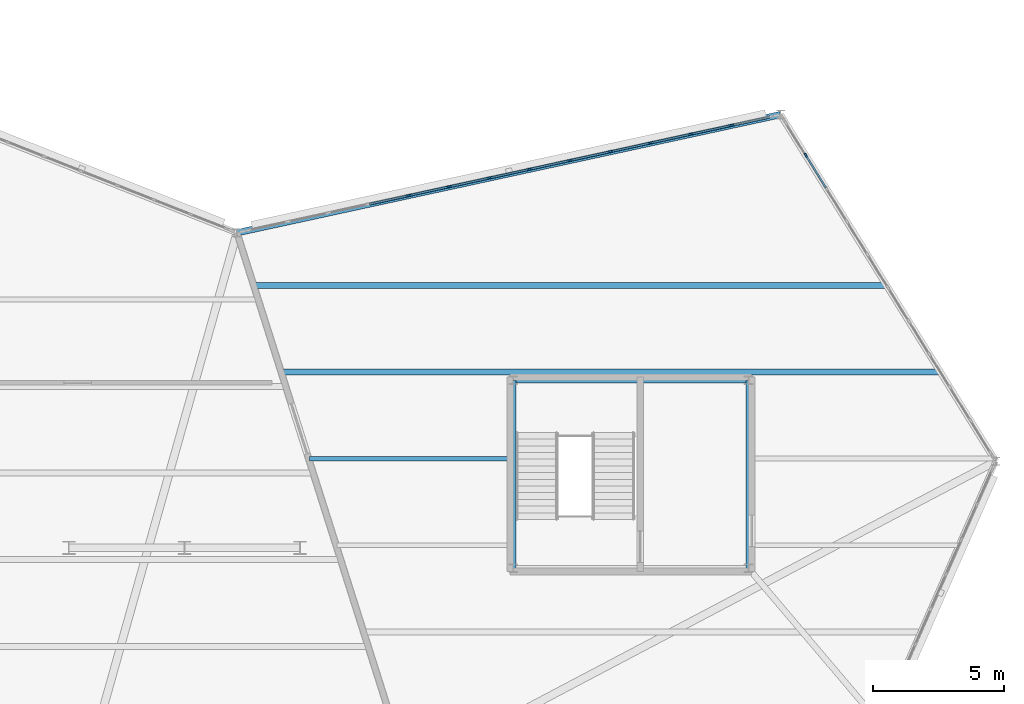
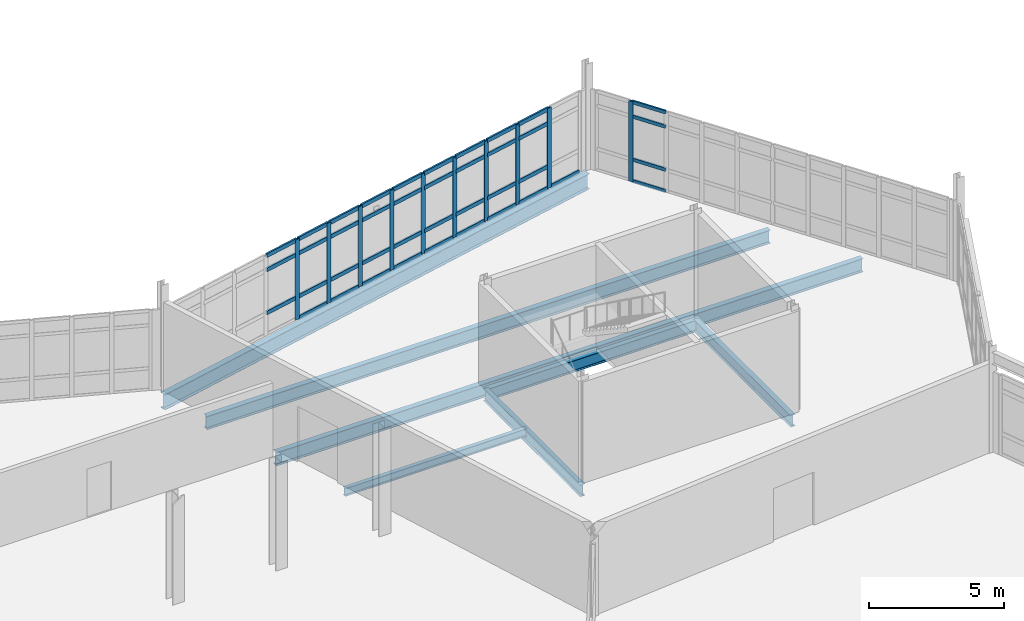
# One storey, part 73 of 134: 50 members, 7 beams, 2 elements without a shape of their own.
"""IFC4 building model written with IfcOpenShell, lengths in metres."""

from ifc_helpers import new_model, si_unit, direction, frame, origin, origin_2d, place, context, subcontext, project, spatial, rectangle, i_section, extrude, material, material_profile, profile_set, type_object, element, aggregate, save


model = new_model("IFC4")

# Units and contexts
model_context = context("Model", 3, precision=1e-05, world=origin(), true_north=direction((0.0, 1.0)))
body_context = subcontext(model_context, "Body", "Model", "MODEL_VIEW")
ifc_project = project(units=[si_unit("LENGTHUNIT", "METRE"), si_unit("AREAUNIT", "SQUARE_METRE"), si_unit("VOLUMEUNIT", "CUBIC_METRE"), si_unit("PLANEANGLEUNIT", "RADIAN"), si_unit("MASSUNIT", "GRAM", prefix="KILO")], contexts=[model_context])

# Site, building, storey
site_placement = place(None, origin())
site = spatial("IfcSite", under=ifc_project, at=site_placement, CompositionType="ELEMENT")
building_placement = place(site_placement, origin())
building = spatial("IfcBuilding", under=site, at=building_placement, Name="Tameran Prism Museum", CompositionType="ELEMENT")
storey_placement = place(building_placement, frame((0.0, 0.0, 5.39990234375)))
storey = spatial("IfcBuildingStorey", under=building, at=storey_placement, Name="L01", CompositionType="ELEMENT", Elevation=5.39990234375)

# Beams
ifc_material_1 = material(Name="Steel Grade 300PLUS (300 MPa)", Category="steel")
ifc_material_profile_1 = material_profile(ifc_material_1, i_section(OverallWidth=0.172119140625, OverallDepth=0.35888671875, WebThickness=0.008056640625, FlangeThickness=0.012939453125, FilletRadius=0.011474609375, at=origin_2d()))
ifc_profile_set_1 = profile_set([ifc_material_profile_1])
beam_type_1 = type_object("IfcBeamType", Name="BM-J360A", PredefinedType="JOIST", material=ifc_profile_set_1)
beam_1_placement = place(storey_placement, frame((140.26904296875, 34.10009765625, -0.37939453125), z_axis=(1.0, 0.0, 0.0), x_axis=(0.0, 1.0, 0.0)))
element("IfcBeam", 1, at=beam_1_placement, inside=storey, type_object=beam_type_1, Name="Floor Beam BM-0650", PredefinedType="JOIST", context=body_context, shape_type="SweptSolid", body=[
    extrude(i_section(OverallWidth=0.172119140625, OverallDepth=0.35888671875, WebThickness=0.008056640625, FlangeThickness=0.012939453125, FilletRadius=0.011474609375, at=origin_2d()), origin(), (0.0, 0.0, 1.0), 7.7509765625),
])
ifc_material_2 = material(Name="Steel Grade 300PLUS (300 MPa)", Category="steel")
ifc_material_profile_2 = material_profile(ifc_material_2, i_section(OverallWidth=0.208984375, OverallDepth=0.528076171875, WebThickness=0.009521484375, FlangeThickness=0.01318359375, FilletRadius=0.013916015625, at=origin_2d()))
ifc_profile_set_2 = profile_set([ifc_material_profile_2])
beam_type_2 = type_object("IfcBeamType", Name="BM-SP530B", PredefinedType="SPANDREL", material=ifc_profile_set_2)
beam_2_placement = place(storey_placement, frame((156.97998046875, 29.919921875, -0.50390625), z_axis=(0.0, 1.0, 0.0), x_axis=(-1.0, 0.0, 0.0)))
element("IfcBeam", 2, at=beam_2_placement, inside=storey, type_object=beam_type_2, Name="Core Ring Beam CTB-0487", PredefinedType="SPANDREL", context=body_context, shape_type="SweptSolid", body=[
    extrude(i_section(OverallWidth=0.208984375, OverallDepth=0.528076171875, WebThickness=0.009521484375, FlangeThickness=0.01318359375, FilletRadius=0.013916015625, at=origin_2d()), origin(), (0.0, 0.0, 1.0), 7.16015625),
])
beam_3_placement = place(storey_placement, frame((156.97998046875, 37.080078125, -0.50390625), z_axis=(-1.0, 0.0, 0.0), x_axis=(0.0, -1.0, 0.0)))
element("IfcBeam", 3, at=beam_3_placement, inside=storey, type_object=beam_type_2, Name="Core Ring Beam CTB-0488", PredefinedType="SPANDREL", context=body_context, shape_type="SweptSolid", body=[
    extrude(i_section(OverallWidth=0.208984375, OverallDepth=0.528076171875, WebThickness=0.009521484375, FlangeThickness=0.01318359375, FilletRadius=0.013916015625, at=origin_2d()), origin(), (0.0, 0.0, 1.0), 8.9599609375),
])
beam_4_placement = place(storey_placement, frame((148.02001953125, 37.080078125, -0.50390625), z_axis=(0.0, -1.0, 0.0), x_axis=(1.0, 0.0, 0.0)))
element("IfcBeam", 4, at=beam_4_placement, inside=storey, type_object=beam_type_2, Name="Core Ring Beam CTB-0489", PredefinedType="SPANDREL", context=body_context, shape_type="SweptSolid", body=[
    extrude(i_section(OverallWidth=0.208984375, OverallDepth=0.528076171875, WebThickness=0.009521484375, FlangeThickness=0.01318359375, FilletRadius=0.013916015625, at=origin_2d()), origin(), (0.0, 0.0, 1.0), 7.16015625),
])
ifc_material_3 = material(Name="Steel Grade 350 (350 MPa)", Category="steel")
ifc_material_profile_3 = material_profile(ifc_material_3, i_section(OverallWidth=0.25, OverallDepth=0.699951171875, WebThickness=0.010009765625, FlangeThickness=0.02001953125, at=origin_2d()))
ifc_profile_set_3 = profile_set([ifc_material_profile_3])
beam_type_3 = type_object("IfcBeamType", Name="BM-SP700", PredefinedType="SPANDREL", material=ifc_profile_set_3)
beam_5_placement = place(storey_placement, frame((158.199951171875, 47.199951171875, -0.5498046875), z_axis=(-0.977176259906, -0.212430122809, 0.0), x_axis=(0.212430122809, -0.977176259906, 0.0)))
element("IfcBeam", 5, at=beam_5_placement, inside=storey, type_object=beam_type_3, Name="Perimeter Spandrel SP-0436", PredefinedType="SPANDREL", context=body_context, shape_type="SweptSolid", body=[
    extrude(i_section(OverallWidth=0.25, OverallDepth=0.699951171875, WebThickness=0.010009765625, FlangeThickness=0.02001953125, at=origin_2d()), origin(), (0.0, 0.0, 1.0), 21.183349609375),
])
ifc_material_4 = material(Name="Steel Grade 300PLUS (300 MPa)", Category="steel")
ifc_material_profile_4 = material_profile(ifc_material_4, i_section(OverallWidth=0.22802734375, OverallDepth=0.60693359375, WebThickness=0.01123046875, FlangeThickness=0.017333984375, FilletRadius=0.013916015625, at=origin_2d()))
ifc_profile_set_4 = profile_set([ifc_material_profile_4])
beam_type_4 = type_object("IfcBeamType", Name="BM-UB610B", PredefinedType="BEAM", material=ifc_profile_set_4)
beam_6_placement = place(storey_placement, frame((139.221923828125, 37.39990234375, -0.50341796875), z_axis=(1.0, 0.0, 0.0), x_axis=(0.0, 1.0, 0.0)))
element("IfcBeam", 6, at=beam_6_placement, inside=storey, type_object=beam_type_4, Name="Floor Beam BM-0652", PredefinedType="BEAM", context=body_context, shape_type="SweptSolid", body=[
    extrude(i_section(OverallWidth=0.22802734375, OverallDepth=0.60693359375, WebThickness=0.01123046875, FlangeThickness=0.017333984375, FilletRadius=0.013916015625, at=origin_2d()), origin(), (0.0, 0.0, 1.0), 25.01904296875),
])
beam_7_placement = place(storey_placement, frame((138.176025390625, 40.699951171875, -0.50341796875), z_axis=(1.0, 0.0, 0.0), x_axis=(0.0, 1.0, 0.0)))
element("IfcBeam", 7, at=beam_7_placement, inside=storey, type_object=beam_type_4, Name="Floor Beam BM-0653", PredefinedType="BEAM", context=body_context, shape_type="SweptSolid", body=[
    extrude(i_section(OverallWidth=0.22802734375, OverallDepth=0.60693359375, WebThickness=0.01123046875, FlangeThickness=0.017333984375, FilletRadius=0.013916015625, at=origin_2d()), origin(), (0.0, 0.0, 1.0), 24.014892578125),
])

# Curtain wall, member
ifc_material_5 = material(Name="Anodised Aluminium 6063-T6 and Cyclone Solar Glass", Category="aluminium")
curtain_wall_type_1 = type_object("IfcCurtainWallType", Name="CW-FAC-1484x362", PredefinedType="USERDEFINED", material=ifc_material_5)
curtain_wall_1_placement = place(storey_placement, origin())
curtain_wall_1 = element("IfcCurtainWall", 8, at=curtain_wall_1_placement, inside=storey, type_object=curtain_wall_type_1, Name="Unitised Curtain Wall CW-096", ObjectType="UNITISED CURTAIN WALL", PredefinedType="USERDEFINED")
ifc_material_6 = material(Name="Anodised Aluminium Alloy 6063-T6", Category="aluminium")
ifc_material_profile_5 = material_profile(ifc_material_6, rectangle(XDim=0.070068359375, YDim=0.179931640625, at=origin_2d()))
ifc_profile_set_5 = profile_set([ifc_material_profile_5])
member_type_1 = type_object("IfcMemberType", Name="CW-MUL-B", PredefinedType="MULLION", material=ifc_profile_set_5)
member_1_placement = place(storey_placement, frame((159.16796875, 45.642333984375, 0.0), z_axis=(0.0, 0.0, 1.0), x_axis=(0.849471454595, 0.527634577931, 0.0)))
member_1 = element("IfcMember", 9, at=member_1_placement, type_object=member_type_1, Name="CW-096 mullion 2", PredefinedType="MULLION", context=body_context, shape_type="SweptSolid", body=[
    extrude(rectangle(XDim=0.070068359375, YDim=0.179931640625, at=origin_2d()), origin(), (0.0, 0.0, 1.0), 3.6201171875),
])

# Curtain wall, members
ifc_material_7 = material(Name="Anodised Aluminium 6063-T6 and Cyclone Solar Glass", Category="aluminium")
curtain_wall_type_2 = type_object("IfcCurtainWallType", Name="CW-FAC-2042x362", PredefinedType="USERDEFINED", material=ifc_material_7)
curtain_wall_2_placement = place(storey_placement, origin())
curtain_wall_2 = element("IfcCurtainWall", 10, at=curtain_wall_2_placement, inside=storey, type_object=curtain_wall_type_2, Name="Unitised Curtain Wall CW-097", ObjectType="UNITISED CURTAIN WALL", PredefinedType="USERDEFINED")
ifc_material_8 = material(Name="Anodised Aluminium Alloy 6063-T6", Category="aluminium")
ifc_material_profile_6 = material_profile(ifc_material_8, rectangle(XDim=0.074951171875, YDim=0.199951171875, at=origin_2d()))
ifc_profile_set_6 = profile_set([ifc_material_profile_6])
member_type_2 = type_object("IfcMemberType", Name="CW-MUL-C", PredefinedType="MULLION", material=ifc_profile_set_6)
member_2_placement = place(storey_placement, frame((144.04150390625, 44.1220703125, 0.0), z_axis=(0.0, 0.0, 1.0), x_axis=(-0.212454037801, 0.977171060676, 0.0)))
member_2 = element("IfcMember", 11, at=member_2_placement, type_object=member_type_2, Name="CW-097 mullion 5", PredefinedType="MULLION", context=body_context, shape_type="SweptSolid", body=[
    extrude(rectangle(XDim=0.074951171875, YDim=0.199951171875, at=origin_2d()), origin(), (0.0, 0.0, 1.0), 3.6201171875),
])
member_3_placement = place(storey_placement, frame((145.57666015625, 44.455810546875, 0.0), z_axis=(0.0, 0.0, 1.0), x_axis=(-0.212454037801, 0.977171060676, 0.0)))
member_3 = element("IfcMember", 12, at=member_3_placement, type_object=member_type_2, Name="CW-097 mullion 6", PredefinedType="MULLION", context=body_context, shape_type="SweptSolid", body=[
    extrude(rectangle(XDim=0.074951171875, YDim=0.199951171875, at=origin_2d()), origin(), (0.0, 0.0, 1.0), 3.6201171875),
])
member_4_placement = place(storey_placement, frame((147.11181640625, 44.78955078125, 0.0), z_axis=(0.0, 0.0, 1.0), x_axis=(-0.212454037801, 0.977171060676, 0.0)))
member_4 = element("IfcMember", 13, at=member_4_placement, type_object=member_type_2, Name="CW-097 mullion 7", PredefinedType="MULLION", context=body_context, shape_type="SweptSolid", body=[
    extrude(rectangle(XDim=0.074951171875, YDim=0.199951171875, at=origin_2d()), origin(), (0.0, 0.0, 1.0), 3.6201171875),
])
member_5_placement = place(storey_placement, frame((148.64697265625, 45.123291015625, 0.0), z_axis=(0.0, 0.0, 1.0), x_axis=(-0.212454037801, 0.977171060676, 0.0)))
member_5 = element("IfcMember", 14, at=member_5_placement, type_object=member_type_2, Name="CW-097 mullion 8", PredefinedType="MULLION", context=body_context, shape_type="SweptSolid", body=[
    extrude(rectangle(XDim=0.074951171875, YDim=0.199951171875, at=origin_2d()), origin(), (0.0, 0.0, 1.0), 3.6201171875),
])
member_6_placement = place(storey_placement, frame((150.18212890625, 45.457275390625, 0.0), z_axis=(0.0, 0.0, 1.0), x_axis=(-0.212454037801, 0.977171060676, 0.0)))
member_6 = element("IfcMember", 15, at=member_6_placement, type_object=member_type_2, Name="CW-097 mullion 9", PredefinedType="MULLION", context=body_context, shape_type="SweptSolid", body=[
    extrude(rectangle(XDim=0.074951171875, YDim=0.199951171875, at=origin_2d()), origin(), (0.0, 0.0, 1.0), 3.6201171875),
])
member_7_placement = place(storey_placement, frame((151.71728515625, 45.791015625, 0.0), z_axis=(0.0, 0.0, 1.0), x_axis=(-0.212454037801, 0.977171060676, 0.0)))
member_7 = element("IfcMember", 16, at=member_7_placement, type_object=member_type_2, Name="CW-097 mullion 10", PredefinedType="MULLION", context=body_context, shape_type="SweptSolid", body=[
    extrude(rectangle(XDim=0.074951171875, YDim=0.199951171875, at=origin_2d()), origin(), (0.0, 0.0, 1.0), 3.6201171875),
])
member_8_placement = place(storey_placement, frame((153.25244140625, 46.124755859375, 0.0), z_axis=(0.0, 0.0, 1.0), x_axis=(-0.212454037801, 0.977171060676, 0.0)))
member_8 = element("IfcMember", 17, at=member_8_placement, type_object=member_type_2, Name="CW-097 mullion 11", PredefinedType="MULLION", context=body_context, shape_type="SweptSolid", body=[
    extrude(rectangle(XDim=0.074951171875, YDim=0.199951171875, at=origin_2d()), origin(), (0.0, 0.0, 1.0), 3.6201171875),
])
member_9_placement = place(storey_placement, frame((154.78759765625, 46.45849609375, 0.0), z_axis=(0.0, 0.0, 1.0), x_axis=(-0.212454037801, 0.977171060676, 0.0)))
member_9 = element("IfcMember", 18, at=member_9_placement, type_object=member_type_2, Name="CW-097 mullion 12", PredefinedType="MULLION", context=body_context, shape_type="SweptSolid", body=[
    extrude(rectangle(XDim=0.074951171875, YDim=0.199951171875, at=origin_2d()), origin(), (0.0, 0.0, 1.0), 3.6201171875),
])
member_10_placement = place(storey_placement, frame((156.32275390625, 46.792236328125, 0.0), z_axis=(0.0, 0.0, 1.0), x_axis=(-0.212454037801, 0.977171060676, 0.0)))
member_10 = element("IfcMember", 19, at=member_10_placement, type_object=member_type_2, Name="CW-097 mullion 13", PredefinedType="MULLION", context=body_context, shape_type="SweptSolid", body=[
    extrude(rectangle(XDim=0.074951171875, YDim=0.199951171875, at=origin_2d()), origin(), (0.0, 0.0, 1.0), 3.6201171875),
])

# Member
ifc_material_9 = material(Name="Anodised Aluminium Alloy 6063-T6", Category="aluminium")
ifc_material_profile_7 = material_profile(ifc_material_9, rectangle(XDim=0.070068359375, YDim=0.155029296875, at=origin_2d()))
ifc_profile_set_7 = profile_set([ifc_material_profile_7])
member_type_3 = type_object("IfcMemberType", Name="CW-TRN-B", PredefinedType="USERDEFINED", material=ifc_profile_set_7)
member_11_placement = place(storey_placement, frame((159.1865234375, 45.612548828125, 0.03515625), z_axis=(0.527715294593, -0.849421313515, 0.0), x_axis=(0.849421313515, 0.527715294593, 0.0)))
member_11 = element("IfcMember", 20, at=member_11_placement, type_object=member_type_3, Name="CW-096 transom 2.1", ObjectType="TRANSOM", PredefinedType="USERDEFINED", context=body_context, shape_type="SweptSolid", body=[
    extrude(rectangle(XDim=0.070068359375, YDim=0.155029296875, at=origin_2d()), origin(), (0.0, 0.0, 1.0), 1.413818359375),
])

member_12_placement = place(storey_placement, frame((159.1865234375, 45.612548828125, 1.0), z_axis=(0.527715294593, -0.849421313515, 0.0), x_axis=(0.849421313515, 0.527715294593, 0.0)))
member_12 = element("IfcMember", 21, at=member_12_placement, type_object=member_type_3, Name="CW-096 transom 2.2", ObjectType="TRANSOM", PredefinedType="USERDEFINED", context=body_context, shape_type="SweptSolid", body=[
    extrude(rectangle(XDim=0.070068359375, YDim=0.155029296875, at=origin_2d()), origin(), (0.0, 0.0, 1.0), 1.413818359375),
])

member_13_placement = place(storey_placement, frame((159.1865234375, 45.612548828125, 2.940185546875), z_axis=(0.527715294593, -0.849421313515, 0.0), x_axis=(0.849421313515, 0.527715294593, 0.0)))
member_13 = element("IfcMember", 22, at=member_13_placement, type_object=member_type_3, Name="CW-096 transom 2.3", ObjectType="TRANSOM", PredefinedType="USERDEFINED", context=body_context, shape_type="SweptSolid", body=[
    extrude(rectangle(XDim=0.070068359375, YDim=0.155029296875, at=origin_2d()), origin(), (0.0, 0.0, 1.0), 1.413818359375),
])

member_14_placement = place(storey_placement, frame((159.1865234375, 45.612548828125, 3.585205078125), z_axis=(0.527715294593, -0.849421313515, 0.0), x_axis=(0.849421313515, 0.527715294593, 0.0)))
member_14 = element("IfcMember", 23, at=member_14_placement, type_object=member_type_3, Name="CW-096 transom 2.4", ObjectType="TRANSOM", PredefinedType="USERDEFINED", context=body_context, shape_type="SweptSolid", body=[
    extrude(rectangle(XDim=0.070068359375, YDim=0.155029296875, at=origin_2d()), origin(), (0.0, 0.0, 1.0), 1.413818359375),
])

aggregate(curtain_wall_1, [member_1, member_11, member_12, member_13, member_14])

ifc_material_10 = material(Name="Anodised Aluminium Alloy 6063-T6", Category="aluminium")
ifc_material_profile_8 = material_profile(ifc_material_10, rectangle(XDim=0.074951171875, YDim=0.175048828125, at=origin_2d()))
ifc_profile_set_8 = profile_set([ifc_material_profile_8])
member_type_4 = type_object("IfcMemberType", Name="CW-TRN-C", PredefinedType="USERDEFINED", material=ifc_profile_set_8)
member_15_placement = place(storey_placement, frame((142.543212890625, 43.79638671875, 1.0), z_axis=(0.977194037722, 0.212348328558, 0.0), x_axis=(-0.212348328558, 0.977194037722, 0.0)))
member_15 = element("IfcMember", 24, at=member_15_placement, type_object=member_type_4, Name="CW-097 transom 4.2", ObjectType="TRANSOM", PredefinedType="USERDEFINED", context=body_context, shape_type="SweptSolid", body=[
    extrude(rectangle(XDim=0.074951171875, YDim=0.175048828125, at=origin_2d()), origin(), (0.0, 0.0, 1.0), 1.495849609375),
])

member_16_placement = place(storey_placement, frame((142.543212890625, 43.79638671875, 2.940185546875), z_axis=(0.977194037722, 0.212348328558, 0.0), x_axis=(-0.212348328558, 0.977194037722, 0.0)))
member_16 = element("IfcMember", 25, at=member_16_placement, type_object=member_type_4, Name="CW-097 transom 4.3", ObjectType="TRANSOM", PredefinedType="USERDEFINED", context=body_context, shape_type="SweptSolid", body=[
    extrude(rectangle(XDim=0.074951171875, YDim=0.175048828125, at=origin_2d()), origin(), (0.0, 0.0, 1.0), 1.495849609375),
])

member_17_placement = place(storey_placement, frame((142.543212890625, 43.79638671875, 3.58251953125), z_axis=(0.977194037722, 0.212348328558, 0.0), x_axis=(-0.212348328558, 0.977194037722, 0.0)))
member_17 = element("IfcMember", 26, at=member_17_placement, type_object=member_type_4, Name="CW-097 transom 4.4", ObjectType="TRANSOM", PredefinedType="USERDEFINED", context=body_context, shape_type="SweptSolid", body=[
    extrude(rectangle(XDim=0.074951171875, YDim=0.175048828125, at=origin_2d()), origin(), (0.0, 0.0, 1.0), 1.495849609375),
])

member_18_placement = place(storey_placement, frame((144.078369140625, 44.130126953125, 0.03759765625), z_axis=(0.977160157558, 0.212504179913, 0.0), x_axis=(-0.212504179913, 0.977160157558, 0.0)))
member_18 = element("IfcMember", 27, at=member_18_placement, type_object=member_type_4, Name="CW-097 transom 5.1", ObjectType="TRANSOM", PredefinedType="USERDEFINED", context=body_context, shape_type="SweptSolid", body=[
    extrude(rectangle(XDim=0.074951171875, YDim=0.175048828125, at=origin_2d()), origin(), (0.0, 0.0, 1.0), 1.495849609375),
])

member_19_placement = place(storey_placement, frame((144.078369140625, 44.130126953125, 1.0), z_axis=(0.977160157558, 0.212504179913, 0.0), x_axis=(-0.212504179913, 0.977160157558, 0.0)))
member_19 = element("IfcMember", 28, at=member_19_placement, type_object=member_type_4, Name="CW-097 transom 5.2", ObjectType="TRANSOM", PredefinedType="USERDEFINED", context=body_context, shape_type="SweptSolid", body=[
    extrude(rectangle(XDim=0.074951171875, YDim=0.175048828125, at=origin_2d()), origin(), (0.0, 0.0, 1.0), 1.495849609375),
])

member_20_placement = place(storey_placement, frame((144.078369140625, 44.130126953125, 2.940185546875), z_axis=(0.977160157558, 0.212504179913, 0.0), x_axis=(-0.212504179913, 0.977160157558, 0.0)))
member_20 = element("IfcMember", 29, at=member_20_placement, type_object=member_type_4, Name="CW-097 transom 5.3", ObjectType="TRANSOM", PredefinedType="USERDEFINED", context=body_context, shape_type="SweptSolid", body=[
    extrude(rectangle(XDim=0.074951171875, YDim=0.175048828125, at=origin_2d()), origin(), (0.0, 0.0, 1.0), 1.495849609375),
])

member_21_placement = place(storey_placement, frame((144.078369140625, 44.130126953125, 3.58251953125), z_axis=(0.977160157558, 0.212504179913, 0.0), x_axis=(-0.212504179913, 0.977160157558, 0.0)))
member_21 = element("IfcMember", 30, at=member_21_placement, type_object=member_type_4, Name="CW-097 transom 5.4", ObjectType="TRANSOM", PredefinedType="USERDEFINED", context=body_context, shape_type="SweptSolid", body=[
    extrude(rectangle(XDim=0.074951171875, YDim=0.175048828125, at=origin_2d()), origin(), (0.0, 0.0, 1.0), 1.495849609375),
])

member_22_placement = place(storey_placement, frame((145.613525390625, 44.4638671875, 0.03759765625), z_axis=(0.977160157558, 0.212504179913, 0.0), x_axis=(-0.212504179913, 0.977160157558, 0.0)))
member_22 = element("IfcMember", 31, at=member_22_placement, type_object=member_type_4, Name="CW-097 transom 6.1", ObjectType="TRANSOM", PredefinedType="USERDEFINED", context=body_context, shape_type="SweptSolid", body=[
    extrude(rectangle(XDim=0.074951171875, YDim=0.175048828125, at=origin_2d()), origin(), (0.0, 0.0, 1.0), 1.495849609375),
])

member_23_placement = place(storey_placement, frame((145.613525390625, 44.4638671875, 1.0), z_axis=(0.977160157558, 0.212504179913, 0.0), x_axis=(-0.212504179913, 0.977160157558, 0.0)))
member_23 = element("IfcMember", 32, at=member_23_placement, type_object=member_type_4, Name="CW-097 transom 6.2", ObjectType="TRANSOM", PredefinedType="USERDEFINED", context=body_context, shape_type="SweptSolid", body=[
    extrude(rectangle(XDim=0.074951171875, YDim=0.175048828125, at=origin_2d()), origin(), (0.0, 0.0, 1.0), 1.495849609375),
])

member_24_placement = place(storey_placement, frame((145.613525390625, 44.4638671875, 2.940185546875), z_axis=(0.977160157558, 0.212504179913, 0.0), x_axis=(-0.212504179913, 0.977160157558, 0.0)))
member_24 = element("IfcMember", 33, at=member_24_placement, type_object=member_type_4, Name="CW-097 transom 6.3", ObjectType="TRANSOM", PredefinedType="USERDEFINED", context=body_context, shape_type="SweptSolid", body=[
    extrude(rectangle(XDim=0.074951171875, YDim=0.175048828125, at=origin_2d()), origin(), (0.0, 0.0, 1.0), 1.495849609375),
])

member_25_placement = place(storey_placement, frame((145.613525390625, 44.4638671875, 3.58251953125), z_axis=(0.977160157558, 0.212504179913, 0.0), x_axis=(-0.212504179913, 0.977160157558, 0.0)))
member_25 = element("IfcMember", 34, at=member_25_placement, type_object=member_type_4, Name="CW-097 transom 6.4", ObjectType="TRANSOM", PredefinedType="USERDEFINED", context=body_context, shape_type="SweptSolid", body=[
    extrude(rectangle(XDim=0.074951171875, YDim=0.175048828125, at=origin_2d()), origin(), (0.0, 0.0, 1.0), 1.495849609375),
])

member_26_placement = place(storey_placement, frame((147.148681640625, 44.797607421875, 0.03759765625), z_axis=(0.977160157558, 0.212504179913, 0.0), x_axis=(-0.212504179913, 0.977160157558, 0.0)))
member_26 = element("IfcMember", 35, at=member_26_placement, type_object=member_type_4, Name="CW-097 transom 7.1", ObjectType="TRANSOM", PredefinedType="USERDEFINED", context=body_context, shape_type="SweptSolid", body=[
    extrude(rectangle(XDim=0.074951171875, YDim=0.175048828125, at=origin_2d()), origin(), (0.0, 0.0, 1.0), 1.495849609375),
])

member_27_placement = place(storey_placement, frame((147.148681640625, 44.797607421875, 1.0), z_axis=(0.977160157558, 0.212504179913, 0.0), x_axis=(-0.212504179913, 0.977160157558, 0.0)))
member_27 = element("IfcMember", 36, at=member_27_placement, type_object=member_type_4, Name="CW-097 transom 7.2", ObjectType="TRANSOM", PredefinedType="USERDEFINED", context=body_context, shape_type="SweptSolid", body=[
    extrude(rectangle(XDim=0.074951171875, YDim=0.175048828125, at=origin_2d()), origin(), (0.0, 0.0, 1.0), 1.495849609375),
])

member_28_placement = place(storey_placement, frame((147.148681640625, 44.797607421875, 2.940185546875), z_axis=(0.977160157558, 0.212504179913, 0.0), x_axis=(-0.212504179913, 0.977160157558, 0.0)))
member_28 = element("IfcMember", 37, at=member_28_placement, type_object=member_type_4, Name="CW-097 transom 7.3", ObjectType="TRANSOM", PredefinedType="USERDEFINED", context=body_context, shape_type="SweptSolid", body=[
    extrude(rectangle(XDim=0.074951171875, YDim=0.175048828125, at=origin_2d()), origin(), (0.0, 0.0, 1.0), 1.495849609375),
])

member_29_placement = place(storey_placement, frame((147.148681640625, 44.797607421875, 3.58251953125), z_axis=(0.977160157558, 0.212504179913, 0.0), x_axis=(-0.212504179913, 0.977160157558, 0.0)))
member_29 = element("IfcMember", 38, at=member_29_placement, type_object=member_type_4, Name="CW-097 transom 7.4", ObjectType="TRANSOM", PredefinedType="USERDEFINED", context=body_context, shape_type="SweptSolid", body=[
    extrude(rectangle(XDim=0.074951171875, YDim=0.175048828125, at=origin_2d()), origin(), (0.0, 0.0, 1.0), 1.495849609375),
])

member_30_placement = place(storey_placement, frame((148.683837890625, 45.13134765625, 0.03759765625), z_axis=(0.977160157558, 0.212504179913, 0.0), x_axis=(-0.212504179913, 0.977160157558, 0.0)))
member_30 = element("IfcMember", 39, at=member_30_placement, type_object=member_type_4, Name="CW-097 transom 8.1", ObjectType="TRANSOM", PredefinedType="USERDEFINED", context=body_context, shape_type="SweptSolid", body=[
    extrude(rectangle(XDim=0.074951171875, YDim=0.175048828125, at=origin_2d()), origin(), (0.0, 0.0, 1.0), 1.495849609375),
])

member_31_placement = place(storey_placement, frame((148.683837890625, 45.13134765625, 1.0), z_axis=(0.977160157558, 0.212504179913, 0.0), x_axis=(-0.212504179913, 0.977160157558, 0.0)))
member_31 = element("IfcMember", 40, at=member_31_placement, type_object=member_type_4, Name="CW-097 transom 8.2", ObjectType="TRANSOM", PredefinedType="USERDEFINED", context=body_context, shape_type="SweptSolid", body=[
    extrude(rectangle(XDim=0.074951171875, YDim=0.175048828125, at=origin_2d()), origin(), (0.0, 0.0, 1.0), 1.495849609375),
])

member_32_placement = place(storey_placement, frame((148.683837890625, 45.13134765625, 2.940185546875), z_axis=(0.977160157558, 0.212504179913, 0.0), x_axis=(-0.212504179913, 0.977160157558, 0.0)))
member_32 = element("IfcMember", 41, at=member_32_placement, type_object=member_type_4, Name="CW-097 transom 8.3", ObjectType="TRANSOM", PredefinedType="USERDEFINED", context=body_context, shape_type="SweptSolid", body=[
    extrude(rectangle(XDim=0.074951171875, YDim=0.175048828125, at=origin_2d()), origin(), (0.0, 0.0, 1.0), 1.495849609375),
])

member_33_placement = place(storey_placement, frame((148.683837890625, 45.13134765625, 3.58251953125), z_axis=(0.977160157558, 0.212504179913, 0.0), x_axis=(-0.212504179913, 0.977160157558, 0.0)))
member_33 = element("IfcMember", 42, at=member_33_placement, type_object=member_type_4, Name="CW-097 transom 8.4", ObjectType="TRANSOM", PredefinedType="USERDEFINED", context=body_context, shape_type="SweptSolid", body=[
    extrude(rectangle(XDim=0.074951171875, YDim=0.175048828125, at=origin_2d()), origin(), (0.0, 0.0, 1.0), 1.495849609375),
])

member_34_placement = place(storey_placement, frame((150.218994140625, 45.465087890625, 0.03759765625), z_axis=(0.977160157558, 0.212504179913, 0.0), x_axis=(-0.212504179913, 0.977160157558, 0.0)))
member_34 = element("IfcMember", 43, at=member_34_placement, type_object=member_type_4, Name="CW-097 transom 9.1", ObjectType="TRANSOM", PredefinedType="USERDEFINED", context=body_context, shape_type="SweptSolid", body=[
    extrude(rectangle(XDim=0.074951171875, YDim=0.175048828125, at=origin_2d()), origin(), (0.0, 0.0, 1.0), 1.495849609375),
])

member_35_placement = place(storey_placement, frame((150.218994140625, 45.465087890625, 1.0), z_axis=(0.977160157558, 0.212504179913, 0.0), x_axis=(-0.212504179913, 0.977160157558, 0.0)))
member_35 = element("IfcMember", 44, at=member_35_placement, type_object=member_type_4, Name="CW-097 transom 9.2", ObjectType="TRANSOM", PredefinedType="USERDEFINED", context=body_context, shape_type="SweptSolid", body=[
    extrude(rectangle(XDim=0.074951171875, YDim=0.175048828125, at=origin_2d()), origin(), (0.0, 0.0, 1.0), 1.495849609375),
])

member_36_placement = place(storey_placement, frame((150.218994140625, 45.465087890625, 2.940185546875), z_axis=(0.977160157558, 0.212504179913, 0.0), x_axis=(-0.212504179913, 0.977160157558, 0.0)))
member_36 = element("IfcMember", 45, at=member_36_placement, type_object=member_type_4, Name="CW-097 transom 9.3", ObjectType="TRANSOM", PredefinedType="USERDEFINED", context=body_context, shape_type="SweptSolid", body=[
    extrude(rectangle(XDim=0.074951171875, YDim=0.175048828125, at=origin_2d()), origin(), (0.0, 0.0, 1.0), 1.495849609375),
])

member_37_placement = place(storey_placement, frame((150.218994140625, 45.465087890625, 3.58251953125), z_axis=(0.977160157558, 0.212504179913, 0.0), x_axis=(-0.212504179913, 0.977160157558, 0.0)))
member_37 = element("IfcMember", 46, at=member_37_placement, type_object=member_type_4, Name="CW-097 transom 9.4", ObjectType="TRANSOM", PredefinedType="USERDEFINED", context=body_context, shape_type="SweptSolid", body=[
    extrude(rectangle(XDim=0.074951171875, YDim=0.175048828125, at=origin_2d()), origin(), (0.0, 0.0, 1.0), 1.495849609375),
])

member_38_placement = place(storey_placement, frame((151.754150390625, 45.798828125, 0.03759765625), z_axis=(0.977160157558, 0.212504179913, 0.0), x_axis=(-0.212504179913, 0.977160157558, 0.0)))
member_38 = element("IfcMember", 47, at=member_38_placement, type_object=member_type_4, Name="CW-097 transom 10.1", ObjectType="TRANSOM", PredefinedType="USERDEFINED", context=body_context, shape_type="SweptSolid", body=[
    extrude(rectangle(XDim=0.074951171875, YDim=0.175048828125, at=origin_2d()), origin(), (0.0, 0.0, 1.0), 1.495849609375),
])

member_39_placement = place(storey_placement, frame((151.754150390625, 45.798828125, 1.0), z_axis=(0.977160157558, 0.212504179913, 0.0), x_axis=(-0.212504179913, 0.977160157558, 0.0)))
member_39 = element("IfcMember", 48, at=member_39_placement, type_object=member_type_4, Name="CW-097 transom 10.2", ObjectType="TRANSOM", PredefinedType="USERDEFINED", context=body_context, shape_type="SweptSolid", body=[
    extrude(rectangle(XDim=0.074951171875, YDim=0.175048828125, at=origin_2d()), origin(), (0.0, 0.0, 1.0), 1.495849609375),
])

member_40_placement = place(storey_placement, frame((151.754150390625, 45.798828125, 2.940185546875), z_axis=(0.977160157558, 0.212504179913, 0.0), x_axis=(-0.212504179913, 0.977160157558, 0.0)))
member_40 = element("IfcMember", 49, at=member_40_placement, type_object=member_type_4, Name="CW-097 transom 10.3", ObjectType="TRANSOM", PredefinedType="USERDEFINED", context=body_context, shape_type="SweptSolid", body=[
    extrude(rectangle(XDim=0.074951171875, YDim=0.175048828125, at=origin_2d()), origin(), (0.0, 0.0, 1.0), 1.495849609375),
])

member_41_placement = place(storey_placement, frame((151.754150390625, 45.798828125, 3.58251953125), z_axis=(0.977160157558, 0.212504179913, 0.0), x_axis=(-0.212504179913, 0.977160157558, 0.0)))
member_41 = element("IfcMember", 50, at=member_41_placement, type_object=member_type_4, Name="CW-097 transom 10.4", ObjectType="TRANSOM", PredefinedType="USERDEFINED", context=body_context, shape_type="SweptSolid", body=[
    extrude(rectangle(XDim=0.074951171875, YDim=0.175048828125, at=origin_2d()), origin(), (0.0, 0.0, 1.0), 1.495849609375),
])

member_42_placement = place(storey_placement, frame((153.2890625, 46.132568359375, 0.03759765625), z_axis=(0.977167526202, 0.212470293773, 0.0), x_axis=(-0.212470293773, 0.977167526202, 0.0)))
member_42 = element("IfcMember", 51, at=member_42_placement, type_object=member_type_4, Name="CW-097 transom 11.1", ObjectType="TRANSOM", PredefinedType="USERDEFINED", context=body_context, shape_type="SweptSolid", body=[
    extrude(rectangle(XDim=0.074951171875, YDim=0.175048828125, at=origin_2d()), origin(), (0.0, 0.0, 1.0), 1.49609375),
])

member_43_placement = place(storey_placement, frame((153.2890625, 46.132568359375, 1.0), z_axis=(0.977167526202, 0.212470293773, 0.0), x_axis=(-0.212470293773, 0.977167526202, 0.0)))
member_43 = element("IfcMember", 52, at=member_43_placement, type_object=member_type_4, Name="CW-097 transom 11.2", ObjectType="TRANSOM", PredefinedType="USERDEFINED", context=body_context, shape_type="SweptSolid", body=[
    extrude(rectangle(XDim=0.074951171875, YDim=0.175048828125, at=origin_2d()), origin(), (0.0, 0.0, 1.0), 1.49609375),
])

member_44_placement = place(storey_placement, frame((153.2890625, 46.132568359375, 2.940185546875), z_axis=(0.977167526202, 0.212470293773, 0.0), x_axis=(-0.212470293773, 0.977167526202, 0.0)))
member_44 = element("IfcMember", 53, at=member_44_placement, type_object=member_type_4, Name="CW-097 transom 11.3", ObjectType="TRANSOM", PredefinedType="USERDEFINED", context=body_context, shape_type="SweptSolid", body=[
    extrude(rectangle(XDim=0.074951171875, YDim=0.175048828125, at=origin_2d()), origin(), (0.0, 0.0, 1.0), 1.49609375),
])

member_45_placement = place(storey_placement, frame((153.2890625, 46.132568359375, 3.58251953125), z_axis=(0.977167526202, 0.212470293773, 0.0), x_axis=(-0.212470293773, 0.977167526202, 0.0)))
member_45 = element("IfcMember", 54, at=member_45_placement, type_object=member_type_4, Name="CW-097 transom 11.4", ObjectType="TRANSOM", PredefinedType="USERDEFINED", context=body_context, shape_type="SweptSolid", body=[
    extrude(rectangle(XDim=0.074951171875, YDim=0.175048828125, at=origin_2d()), origin(), (0.0, 0.0, 1.0), 1.49609375),
])

member_46_placement = place(storey_placement, frame((154.82421875, 46.46630859375, 0.03759765625), z_axis=(0.977167526202, 0.212470293773, 0.0), x_axis=(-0.212470293773, 0.977167526202, 0.0)))
member_46 = element("IfcMember", 55, at=member_46_placement, type_object=member_type_4, Name="CW-097 transom 12.1", ObjectType="TRANSOM", PredefinedType="USERDEFINED", context=body_context, shape_type="SweptSolid", body=[
    extrude(rectangle(XDim=0.074951171875, YDim=0.175048828125, at=origin_2d()), origin(), (0.0, 0.0, 1.0), 1.49609375),
])

member_47_placement = place(storey_placement, frame((154.82421875, 46.46630859375, 1.0), z_axis=(0.977167526202, 0.212470293773, 0.0), x_axis=(-0.212470293773, 0.977167526202, 0.0)))
member_47 = element("IfcMember", 56, at=member_47_placement, type_object=member_type_4, Name="CW-097 transom 12.2", ObjectType="TRANSOM", PredefinedType="USERDEFINED", context=body_context, shape_type="SweptSolid", body=[
    extrude(rectangle(XDim=0.074951171875, YDim=0.175048828125, at=origin_2d()), origin(), (0.0, 0.0, 1.0), 1.49609375),
])

member_48_placement = place(storey_placement, frame((154.82421875, 46.46630859375, 2.940185546875), z_axis=(0.977167526202, 0.212470293773, 0.0), x_axis=(-0.212470293773, 0.977167526202, 0.0)))
member_48 = element("IfcMember", 57, at=member_48_placement, type_object=member_type_4, Name="CW-097 transom 12.3", ObjectType="TRANSOM", PredefinedType="USERDEFINED", context=body_context, shape_type="SweptSolid", body=[
    extrude(rectangle(XDim=0.074951171875, YDim=0.175048828125, at=origin_2d()), origin(), (0.0, 0.0, 1.0), 1.49609375),
])

member_49_placement = place(storey_placement, frame((154.82421875, 46.46630859375, 3.58251953125), z_axis=(0.977167526202, 0.212470293773, 0.0), x_axis=(-0.212470293773, 0.977167526202, 0.0)))
member_49 = element("IfcMember", 58, at=member_49_placement, type_object=member_type_4, Name="CW-097 transom 12.4", ObjectType="TRANSOM", PredefinedType="USERDEFINED", context=body_context, shape_type="SweptSolid", body=[
    extrude(rectangle(XDim=0.074951171875, YDim=0.175048828125, at=origin_2d()), origin(), (0.0, 0.0, 1.0), 1.49609375),
])

member_50_placement = place(storey_placement, frame((156.359375, 46.80029296875, 0.03759765625), z_axis=(0.977180895726, 0.212408796964, 0.0), x_axis=(-0.212408796964, 0.977180895726, 0.0)))
member_50 = element("IfcMember", 59, at=member_50_placement, type_object=member_type_4, Name="CW-097 transom 13.1", ObjectType="TRANSOM", PredefinedType="USERDEFINED", context=body_context, shape_type="SweptSolid", body=[
    extrude(rectangle(XDim=0.074951171875, YDim=0.175048828125, at=origin_2d()), origin(), (0.0, 0.0, 1.0), 1.45849609375),
])

aggregate(curtain_wall_2, [member_2, member_3, member_4, member_5, member_6, member_7, member_8, member_9, member_10, member_15, member_16, member_17, member_18, member_19, member_20, member_21, member_22, member_23, member_24, member_25, member_26, member_27, member_28, member_29, member_30, member_31, member_32, member_33, member_34, member_35, member_36, member_37, member_38, member_39, member_40, member_41, member_42, member_43, member_44, member_45, member_46, member_47, member_48, member_49, member_50])

save(model, "model.ifc")
